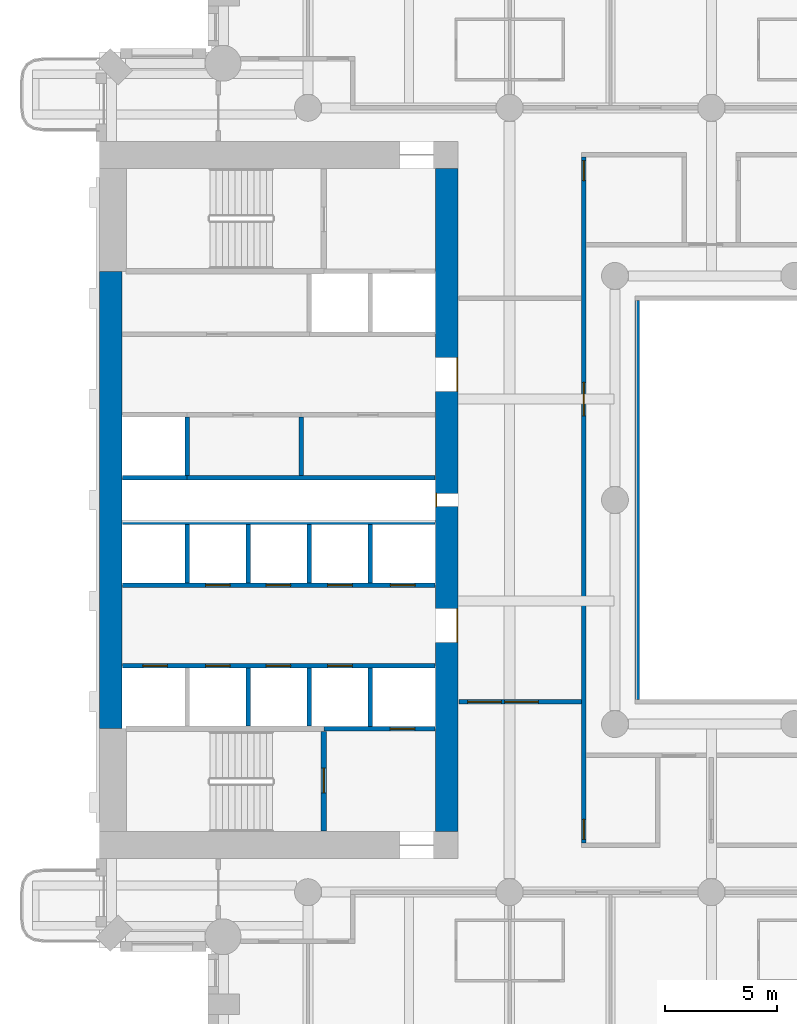
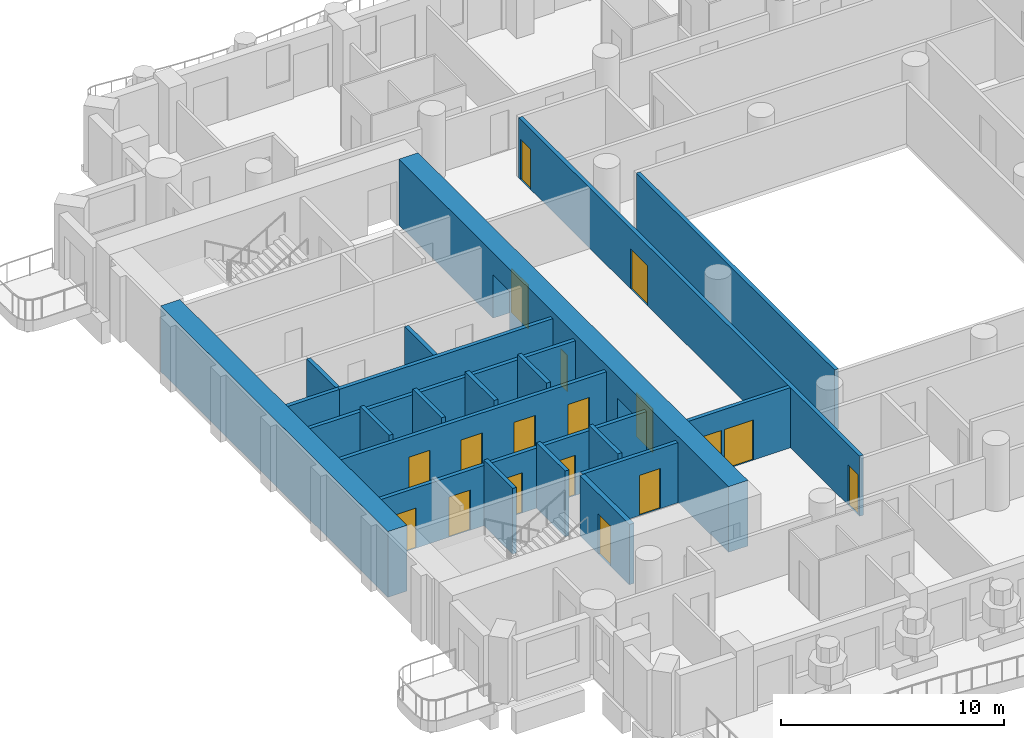
# One storey, part 4 of 20: 21 walls, 18 doors, 18 openings.
"""IFC4 building model written with IfcOpenShell, lengths in metres."""

import ifcopenshell
import ifcopenshell.guid

model = None  # the IFC model being written
_history = None  # IfcOwnerHistory: only IFC2X3 demands one
_inside = {}  # id of a spatial element -> (the spatial element, [elements in it])
_under = {}  # id of a project, library or spatial element -> (it, [spatial elements below it])
_declared = {}  # id of a project -> (the project, [libraries it declares])
_typed = {}  # id of a type object -> (the type object, [elements of that type])
_made_of = {}  # id of a material, layer set ... -> (it, [elements and type objects made of it])


def new_model(schema):
    """Start an empty IFC model of exactly this schema.

    Asked for "IFC4X3", IfcOpenShell would pick the latest addendum, in which some entities
    have other attributes; the version numbers below select the first issue.
    IFC2X3 requires an IfcOwnerHistory on every rooted entity: one is made here for all.
    """
    global model, _history
    if schema == "IFC4X3":
        model = ifcopenshell.file(schema_version=(4, 3, 0, 0))
    else:
        model = ifcopenshell.file(schema=schema)
    _inside.clear()
    _under.clear()
    _declared.clear()
    _typed.clear()
    _made_of.clear()
    _history = None
    if model.schema == "IFC2X3":
        org = make("IfcOrganization", Name="unknown")
        user = make(
            "IfcPersonAndOrganization",
            ThePerson=make("IfcPerson", FamilyName="unknown"),
            TheOrganization=org,
        )
        app = make(
            "IfcApplication",
            ApplicationDeveloper=org,
            Version="unknown",
            ApplicationFullName="unknown",
            ApplicationIdentifier="unknown",
        )
        _history = make(
            "IfcOwnerHistory",
            OwningUser=user,
            OwningApplication=app,
            ChangeAction="ADDED",
            CreationDate=0,
        )
    return model


def make(cls, **values):
    """One entity of the class cls with the attributes given. An attribute that is None is left unset."""
    return model.create_entity(
        cls, **{name: value for name, value in values.items() if value is not None}
    )


def rooted(cls, **values):
    """An entity with a GlobalId (a new one), such as an element, a storey or a relation."""
    return make(cls, GlobalId=ifcopenshell.guid.new(), OwnerHistory=_history, **values)


def si_unit(unit_type, name, prefix=None):
    """IfcSIUnit, for example si_unit("LENGTHUNIT", "METRE", prefix="MILLI")."""
    return make("IfcSIUnit", UnitType=unit_type, Prefix=prefix, Name=name)


def assignment(units):
    """IfcUnitAssignment: the units of a project."""
    return None if units is None else make("IfcUnitAssignment", Units=units)


def point(xyz):
    """IfcCartesianPoint."""
    return None if xyz is None else make("IfcCartesianPoint", Coordinates=xyz)


def direction(xyz):
    """IfcDirection."""
    return None if xyz is None else make("IfcDirection", DirectionRatios=xyz)


def frame(location, z_axis=None, x_axis=None):
    """IfcAxis2Placement3D, a coordinate frame: its origin and axes. An axis left out is left unset."""
    return make(
        "IfcAxis2Placement3D",
        Location=point(location),
        Axis=direction(z_axis),
        RefDirection=direction(x_axis),
    )


def frame_2d(location, x_axis=None):
    """IfcAxis2Placement2D, a coordinate frame in the plane: its origin and x axis."""
    return make(
        "IfcAxis2Placement2D", Location=point(location), RefDirection=direction(x_axis)
    )


def origin():
    """The frame at (0, 0, 0) with its axes left unset."""
    return frame((0.0, 0.0, 0.0))


def place(relative_to, where):
    """IfcLocalPlacement: puts the frame where relative to a parent placement (None: the world)."""
    return make(
        "IfcLocalPlacement", PlacementRelTo=relative_to, RelativePlacement=where
    )


def context(
    kind, dimensions, precision=None, world=None, true_north=None, identifier=None
):
    """IfcGeometricRepresentationContext, for example the 3D "Model" context."""
    return make(
        "IfcGeometricRepresentationContext",
        ContextIdentifier=identifier,
        ContextType=kind,
        CoordinateSpaceDimension=dimensions,
        Precision=precision,
        WorldCoordinateSystem=world,
        TrueNorth=true_north,
    )


def subcontext(parent, identifier, kind, view, scale=None):
    """IfcGeometricRepresentationSubContext, for example "Body" below "Model"."""
    return make(
        "IfcGeometricRepresentationSubContext",
        ContextIdentifier=identifier,
        ContextType=kind,
        ParentContext=parent,
        TargetScale=scale,
        TargetView=view,
    )


def project(units=None, contexts=None):
    """IfcProject with its units and contexts."""
    return rooted(
        "IfcProject",
        Name="project",
        RepresentationContexts=contexts,
        UnitsInContext=assignment(units),
    )


def spatial(cls, under=None, at=None, **own):
    """A site, building, storey or space (cls), placed at a placement, below another one or the project."""
    s = rooted(cls, ObjectPlacement=at, **own)
    if under is not None:
        _under.setdefault(under.id(), (under, []))[1].append(s)
    return s


def profile(cls, at=None, kind="AREA", **sizes):
    """A parametric profile (cls). Its sizes go by their IFC names, for example OverallWidth=200.0."""
    return make(cls, ProfileType=kind, Position=at, **sizes)


def rectangle(**sizes):
    """IfcRectangleProfileDef."""
    return profile("IfcRectangleProfileDef", **sizes)


def extrude(swept, where, along, depth):
    """IfcExtrudedAreaSolid: the profile swept, set in the frame where, extruded along a direction by depth."""
    return make(
        "IfcExtrudedAreaSolid",
        SweptArea=swept,
        Position=where,
        ExtrudedDirection=direction(along),
        Depth=depth,
    )


def shape(context_of_items, identifier, shape_type, items):
    """IfcShapeRepresentation: the items that make up one representation, for example the "Body"."""
    return make(
        "IfcShapeRepresentation",
        ContextOfItems=context_of_items,
        RepresentationIdentifier=identifier,
        RepresentationType=shape_type,
        Items=items,
    )


def material(Name=None, Category=None):
    """IfcMaterial."""
    return make("IfcMaterial", Name=Name, Category=Category)


def layer(
    of_material, thickness, ventilated=None, Name=None, Category=None, Priority=None
):
    """IfcMaterialLayer: one layer of a wall or slab, of a material (None: an air gap)."""
    return make(
        "IfcMaterialLayer",
        Material=of_material,
        LayerThickness=thickness,
        IsVentilated=ventilated,
        Name=Name,
        Category=Category,
        Priority=Priority,
    )


def layer_set(layers, Name=None):
    """IfcMaterialLayerSet."""
    return make("IfcMaterialLayerSet", MaterialLayers=layers, LayerSetName=Name)


def made_of(thing, what):
    """Note that an element or type object is made of a material, layer set ...; save() writes the relation."""
    if what is not None:
        _made_of.setdefault(what.id(), (what, []))[1].append(thing)
    return thing


def type_object(cls, material=None, **own):
    """A type object (cls), such as IfcWallType, which elements share."""
    return made_of(rooted(cls, **own), material)


def element(
    cls,
    number,
    at=None,
    inside=None,
    cuts=None,
    type_object=None,
    material=None,
    context=None,
    identifier="Body",
    shape_type=None,
    held_by="IfcProductDefinitionShape",
    body=None,
    shapes=None,
    **own,
):
    """One element of the class cls, such as IfcWall. Its Tag is "e" and its number.

    at: its placement. inside: the storey or other place that contains it. cuts: it is an
    opening in that element (IfcRelVoidsElement). A single representation is given by context,
    identifier, shape_type and body (its items); several are given by shapes. held_by: the class
    of the entity that holds the representations. save() writes the other relations.
    """
    e = rooted(cls, Tag="e%d" % number, ObjectPlacement=at, **own)
    if body is not None:
        shapes = [shape(context, identifier, shape_type, body)]
    if shapes is not None:
        e.Representation = make(held_by, Representations=shapes)
    if inside is not None:
        _inside.setdefault(inside.id(), (inside, []))[1].append(e)
    if cuts is not None:
        rooted(
            "IfcRelVoidsElement", RelatingBuildingElement=cuts, RelatedOpeningElement=e
        )
    if type_object is not None:
        _typed.setdefault(type_object.id(), (type_object, []))[1].append(e)
    return made_of(e, material)


def fill(opening, filler):
    """IfcRelFillsElement: the door or window that sits in an opening."""
    return rooted(
        "IfcRelFillsElement",
        RelatingOpeningElement=opening,
        RelatedBuildingElement=filler,
    )


def aggregate(whole, parts):
    """IfcRelAggregates: a whole, such as a stair, and the parts it consists of."""
    return rooted("IfcRelAggregates", RelatingObject=whole, RelatedObjects=parts)


def save(model, path):
    """Write the relations noted so far, then the file.

    IfcRelAggregates (storeys below a building ...), IfcRelContainedInSpatialStructure (elements
    in a storey), IfcRelDefinesByType, IfcRelAssociatesMaterial and IfcRelDeclares: one each for
    every whole, place, type object, material and project.
    """
    for whole, parts in _under.values():
        aggregate(whole, parts)
    for where, things in _inside.values():
        rooted(
            "IfcRelContainedInSpatialStructure",
            RelatedElements=things,
            RelatingStructure=where,
        )
    for kind, things in _typed.values():
        rooted("IfcRelDefinesByType", RelatedObjects=things, RelatingType=kind)
    for what, things in _made_of.values():
        rooted("IfcRelAssociatesMaterial", RelatedObjects=things, RelatingMaterial=what)
    for by, libraries in _declared.values():
        rooted("IfcRelDeclares", RelatingContext=by, RelatedDefinitions=libraries)
    model.write(path)


model = new_model("IFC4")

# Units and contexts
model_context = context("Model", 3, precision=1e-05, world=origin(), true_north=direction((0.0, 1.0)))
body_context = subcontext(model_context, "Body", "Model", "MODEL_VIEW")
ifc_project = project(units=[si_unit("LENGTHUNIT", "METRE"), si_unit("AREAUNIT", "SQUARE_METRE"), si_unit("VOLUMEUNIT", "CUBIC_METRE"), si_unit("PLANEANGLEUNIT", "RADIAN"), si_unit("MASSUNIT", "GRAM", prefix="KILO")], contexts=[model_context])

# Site, building, storey
site_placement = place(None, origin())
site = spatial("IfcSite", under=ifc_project, at=site_placement, CompositionType="ELEMENT")
building_placement = place(site_placement, origin())
building = spatial("IfcBuilding", under=site, at=building_placement, Name="Cypress Arch Tower", CompositionType="ELEMENT")
storey_placement = place(building_placement, frame((0.0, 0.0, 55.5)))
storey = spatial("IfcBuildingStorey", under=building, at=storey_placement, Name="L07", CompositionType="ELEMENT", Elevation=55.5)

# Wall, openings, doors
ifc_material_1 = material(Name="Concrete C80/95", Category="concrete")
ifc_layer_1 = layer(ifc_material_1, 1.0)
ifc_layer_set_1 = layer_set([ifc_layer_1], Name="Core wall CW1000 C80/95")
wall_type_1 = type_object("IfcWallType", Name="Core wall CW1000 C80/95", PredefinedType="SHEAR", material=ifc_layer_set_1)
wall_1_placement = place(storey_placement, frame((-14.5, -14.800048828125, 0.0), z_axis=(0.0, 0.0, 1.0), x_axis=(0.0, 1.0, 0.0)))
wall_1 = element("IfcWall", 1, at=wall_1_placement, inside=storey, type_object=wall_type_1, Name="Core wall", PredefinedType="SHEAR", context=body_context, shape_type="SweptSolid", body=[
    extrude(rectangle(XDim=29.60009765625, YDim=1.0, at=frame_2d((14.800048828125, 0.0))), origin(), (0.0, 0.0, 1.0), 3.60009765625),
])
opening_1_placement = place(wall_1_placement, frame((8.449951171875, 0.0, 0.0)))
opening_1 = element("IfcOpeningElement", 2, at=opening_1_placement, cuts=wall_1, Name="Opening D07", PredefinedType="OPENING", context=body_context, shape_type="SweptSolid", body=[
    extrude(rectangle(XDim=1.5, YDim=2.39990234375, at=frame_2d((0.75, 1.199951171875))), frame((0.0, 0.510009765625, 0.0), z_axis=(0.0, -1.0, 0.0), x_axis=(1.0, 0.0, 0.0)), (0.0, 0.0, 1.0), 1.02001953125),
])
opening_2_placement = place(wall_1_placement, frame((19.64990234375, 0.0, 0.0)))
opening_2 = element("IfcOpeningElement", 3, at=opening_2_placement, cuts=wall_1, Name="Opening D07", PredefinedType="OPENING", context=body_context, shape_type="SweptSolid", body=[
    extrude(rectangle(XDim=1.5, YDim=2.39990234375, at=frame_2d((0.75, 1.199951171875))), frame((0.0, 0.510009765625, 0.0), z_axis=(0.0, -1.0, 0.0), x_axis=(1.0, 0.0, 0.0)), (0.0, 0.0, 1.0), 1.02001953125),
])
opening_3_placement = place(wall_1_placement, frame((14.5, 0.0, 0.0)))
opening_3 = element("IfcOpeningElement", 4, at=opening_3_placement, cuts=wall_1, Name="Opening D08", PredefinedType="OPENING", context=body_context, shape_type="SweptSolid", body=[
    extrude(rectangle(XDim=0.60009765625, YDim=2.0, at=frame_2d((0.300048828125, 1.0))), frame((0.0, 0.510009765625, 0.0), z_axis=(0.0, -1.0, 0.0), x_axis=(1.0, 0.0, 0.0)), (0.0, 0.0, 1.0), 1.02001953125),
])
ifc_material_2 = material(Name="Steel framed glazed door, fire resisting", Category="steel")
door_type_1 = type_object("IfcDoorType", Name="Lobby door D07 1500x2400", OperationType="DOUBLE_DOOR_SINGLE_SWING", PredefinedType="DOOR", material=ifc_material_2)
door_1_placement = place(opening_1_placement, origin())
door_1 = element("IfcDoor", 5, at=door_1_placement, inside=storey, type_object=door_type_1, Name="Lobby door", OperationType="DOUBLE_DOOR_SINGLE_SWING", OverallHeight=2.39990234375, OverallWidth=1.5, PredefinedType="DOOR", context=body_context, shape_type="SweptSolid", body=[
    extrude(rectangle(XDim=1.5, YDim=2.39990234375, at=frame_2d((0.75, 1.199951171875))), frame((0.0, -0.44482421875, 0.0), z_axis=(0.0, -1.0, 0.0), x_axis=(1.0, 0.0, 0.0)), (0.0, 0.0, 1.0), 0.050048828125),
])
fill(opening_1, door_1)
door_2_placement = place(opening_2_placement, origin())
door_2 = element("IfcDoor", 6, at=door_2_placement, inside=storey, type_object=door_type_1, Name="Lobby door", OperationType="DOUBLE_DOOR_SINGLE_SWING", OverallHeight=2.39990234375, OverallWidth=1.5, PredefinedType="DOOR", context=body_context, shape_type="SweptSolid", body=[
    extrude(rectangle(XDim=1.5, YDim=2.39990234375, at=frame_2d((0.75, 1.199951171875))), frame((0.0, -0.44482421875, 0.0), z_axis=(0.0, -1.0, 0.0), x_axis=(1.0, 0.0, 0.0)), (0.0, 0.0, 1.0), 0.050048828125),
])
fill(opening_2, door_2)
ifc_material_3 = material(Name="Steel access door, fire resisting", Category="steel")
door_type_2 = type_object("IfcDoorType", Name="Riser access door D08 600x2000", OperationType="SINGLE_SWING_LEFT", PredefinedType="DOOR", material=ifc_material_3)
door_3_placement = place(opening_3_placement, origin())
door_3 = element("IfcDoor", 7, at=door_3_placement, inside=storey, type_object=door_type_2, Name="Riser access door", OperationType="SINGLE_SWING_RIGHT", OverallHeight=2.0, OverallWidth=0.60009765625, PredefinedType="DOOR", context=body_context, shape_type="SweptSolid", body=[
    extrude(rectangle(XDim=0.60009765625, YDim=2.0, at=frame_2d((0.300048828125, 1.0))), frame((0.0, 0.4951171875, 0.0), z_axis=(0.0, -1.0, 0.0), x_axis=(1.0, 0.0, 0.0)), (0.0, 0.0, 1.0), 0.050048828125),
])
fill(opening_3, door_3)

# Wall
wall_2_placement = place(storey_placement, frame((-29.5, -10.199951171875, 0.0), z_axis=(0.0, 0.0, 1.0), x_axis=(0.0, 1.0, 0.0)))
element("IfcWall", 8, at=wall_2_placement, inside=storey, type_object=wall_type_1, Name="Core wall", PredefinedType="SHEAR", context=body_context, shape_type="SweptSolid", body=[
    extrude(rectangle(XDim=20.39990234375, YDim=1.0, at=frame_2d((10.199951171875, 0.0))), origin(), (0.0, 0.0, 1.0), 3.60009765625),
])

# Wall, openings, doors
ifc_material_4 = material(Name="Concrete blockwork, plastered, rated", Category="masonry")
ifc_layer_2 = layer(ifc_material_4, 0.199951171875)
ifc_layer_set_2 = layer_set([ifc_layer_2], Name="Corridor wall FW200")
wall_type_2 = type_object("IfcWallType", Name="Corridor wall FW200", PredefinedType="PARTITIONING", material=ifc_layer_set_2)
wall_3_placement = place(storey_placement, frame((-13.969970703125, -9.0, 0.0), z_axis=(0.0, 0.0, 1.0), x_axis=(1.0, 0.0, 0.0)))
wall_3 = element("IfcWall", 9, at=wall_3_placement, inside=storey, type_object=wall_type_2, Name="Corridor wall", PredefinedType="PARTITIONING", context=body_context, shape_type="SweptSolid", body=[
    extrude(rectangle(XDim=5.469970703125, YDim=0.199951171875, at=frame_2d((2.73486328125, 0.0))), origin(), (0.0, 0.0, 1.0), 3.300048828125),
])
opening_4_placement = place(wall_3_placement, frame((0.39990234375, 0.0, 0.0)))
opening_4 = element("IfcOpeningElement", 10, at=opening_4_placement, cuts=wall_3, Name="Opening D04", PredefinedType="OPENING", context=body_context, shape_type="SweptSolid", body=[
    extrude(rectangle(XDim=1.5, YDim=2.199951171875, at=frame_2d((0.75, 1.10009765625))), frame((0.0, 0.10986328125, 0.0), z_axis=(0.0, -1.0, 0.0), x_axis=(1.0, 0.0, 0.0)), (0.0, 0.0, 1.0), 0.219970703125),
])
opening_5_placement = place(wall_3_placement, frame((2.050048828125, 0.0, 0.0)))
opening_5 = element("IfcOpeningElement", 11, at=opening_5_placement, cuts=wall_3, Name="Opening D04", PredefinedType="OPENING", context=body_context, shape_type="SweptSolid", body=[
    extrude(rectangle(XDim=1.5, YDim=2.199951171875, at=frame_2d((0.75, 1.10009765625))), frame((0.0, 0.10986328125, 0.0), z_axis=(0.0, -1.0, 0.0), x_axis=(1.0, 0.0, 0.0)), (0.0, 0.0, 1.0), 0.219970703125),
])
ifc_material_5 = material(Name="Timber double door", Category="wood")
door_type_3 = type_object("IfcDoorType", Name="Double door D04 1500x2200", OperationType="DOUBLE_DOOR_SINGLE_SWING", PredefinedType="DOOR", material=ifc_material_5)
door_4_placement = place(opening_4_placement, origin())
door_4 = element("IfcDoor", 12, at=door_4_placement, inside=storey, type_object=door_type_3, Name="Double door", OperationType="DOUBLE_DOOR_SINGLE_SWING", OverallHeight=2.199951171875, OverallWidth=1.5, PredefinedType="DOOR", context=body_context, shape_type="SweptSolid", body=[
    extrude(rectangle(XDim=1.5, YDim=2.199951171875, at=frame_2d((0.75, 1.10009765625))), frame((0.0, 0.02490234375, 0.0), z_axis=(0.0, -1.0, 0.0), x_axis=(1.0, 0.0, 0.0)), (0.0, 0.0, 1.0), 0.050048828125),
])
fill(opening_4, door_4)
door_5_placement = place(opening_5_placement, origin())
door_5 = element("IfcDoor", 13, at=door_5_placement, inside=storey, type_object=door_type_3, Name="Double door", OperationType="DOUBLE_DOOR_SINGLE_SWING", OverallHeight=2.199951171875, OverallWidth=1.5, PredefinedType="DOOR", context=body_context, shape_type="SweptSolid", body=[
    extrude(rectangle(XDim=1.5, YDim=2.199951171875, at=frame_2d((0.75, 1.10009765625))), frame((0.0, 0.02490234375, 0.0), z_axis=(0.0, -1.0, 0.0), x_axis=(1.0, 0.0, 0.0)), (0.0, 0.0, 1.0), 0.050048828125),
])
fill(opening_5, door_5)

wall_4_placement = place(storey_placement, frame((-8.39990234375, -15.300048828125, 0.0), z_axis=(0.0, 0.0, 1.0), x_axis=(0.0, 1.0, 0.0)))
wall_4 = element("IfcWall", 14, at=wall_4_placement, inside=storey, type_object=wall_type_2, Name="Corridor wall", PredefinedType="PARTITIONING", context=body_context, shape_type="SweptSolid", body=[
    extrude(rectangle(XDim=30.60009765625, YDim=0.199951171875, at=frame_2d((15.300048828125, 0.0))), origin(), (0.0, 0.0, 1.0), 3.300048828125),
])
opening_6_placement = place(wall_4_placement, frame((19.050048828125, 0.0, 0.0)))
opening_6 = element("IfcOpeningElement", 15, at=opening_6_placement, cuts=wall_4, Name="Opening D04", PredefinedType="OPENING", context=body_context, shape_type="SweptSolid", body=[
    extrude(rectangle(XDim=1.5, YDim=2.199951171875, at=frame_2d((0.75, 1.10009765625))), frame((0.0, 0.10986328125, 0.0), z_axis=(0.0, -1.0, 0.0), x_axis=(1.0, 0.0, 0.0)), (0.0, 0.0, 1.0), 0.219970703125),
])
opening_7_placement = place(wall_4_placement, frame((29.550048828125, 0.0, 0.0)))
opening_7 = element("IfcOpeningElement", 16, at=opening_7_placement, cuts=wall_4, Name="Opening D05", PredefinedType="OPENING", context=body_context, shape_type="SweptSolid", body=[
    extrude(rectangle(XDim=0.89990234375, YDim=2.199951171875, at=frame_2d((0.449951171875, 1.10009765625))), frame((0.0, 0.10986328125, 0.0), z_axis=(0.0, -1.0, 0.0), x_axis=(1.0, 0.0, 0.0)), (0.0, 0.0, 1.0), 0.219970703125),
])
opening_8_placement = place(wall_4_placement, frame((0.14990234375, 0.0, 0.0)))
opening_8 = element("IfcOpeningElement", 17, at=opening_8_placement, cuts=wall_4, Name="Opening D05", PredefinedType="OPENING", context=body_context, shape_type="SweptSolid", body=[
    extrude(rectangle(XDim=0.89990234375, YDim=2.199951171875, at=frame_2d((0.449951171875, 1.10009765625))), frame((0.0, 0.10986328125, 0.0), z_axis=(0.0, -1.0, 0.0), x_axis=(1.0, 0.0, 0.0)), (0.0, 0.0, 1.0), 0.219970703125),
])
door_6_placement = place(opening_6_placement, origin())
door_6 = element("IfcDoor", 18, at=door_6_placement, inside=storey, type_object=door_type_3, Name="Double door", OperationType="DOUBLE_DOOR_SINGLE_SWING", OverallHeight=2.199951171875, OverallWidth=1.5, PredefinedType="DOOR", context=body_context, shape_type="SweptSolid", body=[
    extrude(rectangle(XDim=1.5, YDim=2.199951171875, at=frame_2d((0.75, 1.10009765625))), frame((0.0, 0.02490234375, 0.0), z_axis=(0.0, -1.0, 0.0), x_axis=(1.0, 0.0, 0.0)), (0.0, 0.0, 1.0), 0.050048828125),
])
fill(opening_6, door_6)
ifc_material_6 = material(Name="Timber flush door", Category="wood")
door_type_4 = type_object("IfcDoorType", Name="Service door D05 900x2200", OperationType="SINGLE_SWING_LEFT", PredefinedType="DOOR", material=ifc_material_6)
door_7_placement = place(opening_7_placement, origin())
door_7 = element("IfcDoor", 19, at=door_7_placement, inside=storey, type_object=door_type_4, Name="Service door", OperationType="SINGLE_SWING_LEFT", OverallHeight=2.199951171875, OverallWidth=0.89990234375, PredefinedType="DOOR", context=body_context, shape_type="SweptSolid", body=[
    extrude(rectangle(XDim=0.89990234375, YDim=2.199951171875, at=frame_2d((0.449951171875, 1.10009765625))), frame((0.0, 0.02490234375, 0.0), z_axis=(0.0, -1.0, 0.0), x_axis=(1.0, 0.0, 0.0)), (0.0, 0.0, 1.0), 0.050048828125),
])
fill(opening_7, door_7)
door_8_placement = place(opening_8_placement, origin())
door_8 = element("IfcDoor", 20, at=door_8_placement, inside=storey, type_object=door_type_4, Name="Service door", OperationType="SINGLE_SWING_RIGHT", OverallHeight=2.199951171875, OverallWidth=0.89990234375, PredefinedType="DOOR", context=body_context, shape_type="SweptSolid", body=[
    extrude(rectangle(XDim=0.89990234375, YDim=2.199951171875, at=frame_2d((0.449951171875, 1.10009765625))), frame((0.0, 0.02490234375, 0.0), z_axis=(0.0, -1.0, 0.0), x_axis=(1.0, 0.0, 0.0)), (0.0, 0.0, 1.0), 0.050048828125),
])
fill(opening_8, door_8)

# Walls
wall_5_placement = place(storey_placement, frame((-6.0, -8.89990234375, 0.0), z_axis=(0.0, 0.0, 1.0), x_axis=(0.0, 1.0, 0.0)))
element("IfcWall", 21, at=wall_5_placement, inside=storey, type_object=wall_type_2, Name="Corridor wall", PredefinedType="PARTITIONING", context=body_context, shape_type="SweptSolid", body=[
    extrude(rectangle(XDim=17.7998046875, YDim=0.199951171875, at=frame_2d((8.89990234375, 0.0))), origin(), (0.0, 0.0, 1.0), 3.300048828125),
])
ifc_material_7 = material(Name="Reinforced blockwork, plastered, rated", Category="masonry")
ifc_layer_3 = layer(ifc_material_7, 0.199951171875)
ifc_layer_set_3 = layer_set([ifc_layer_3], Name="Plant and riser wall PL200")
wall_type_3 = type_object("IfcWallType", Name="Plant and riser wall PL200", PredefinedType="PARTITIONING", material=ifc_layer_set_3)
wall_6_placement = place(storey_placement, frame((-26.10009765625, 1.0, 0.0), z_axis=(0.0, 0.0, 1.0), x_axis=(1.0, 0.0, 0.0)))
element("IfcWall", 22, at=wall_6_placement, inside=storey, type_object=wall_type_3, Name="Plant and riser wall", PredefinedType="PARTITIONING", context=body_context, shape_type="SweptSolid", body=[
    extrude(rectangle(XDim=11.070068359375, YDim=0.199951171875, at=frame_2d((5.53515625, 0.0))), origin(), (0.0, 0.0, 1.0), 3.300048828125),
])
wall_7_placement = place(storey_placement, frame((-21.0, 1.10009765625, 0.0), z_axis=(0.0, 0.0, 1.0), x_axis=(0.0, 1.0, 0.0)))
element("IfcWall", 23, at=wall_7_placement, inside=storey, type_object=wall_type_3, Name="Plant and riser wall", PredefinedType="PARTITIONING", context=body_context, shape_type="SweptSolid", body=[
    extrude(rectangle(XDim=2.599853515625, YDim=0.199951171875, at=frame_2d((1.2998046875, 0.0))), origin(), (0.0, 0.0, 1.0), 3.300048828125),
])

# Wall, openings, doors
ifc_material_8 = material(Name="Concrete C50/60", Category="concrete")
ifc_layer_4 = layer(ifc_material_8, 0.199951171875)
ifc_layer_set_4 = layer_set([ifc_layer_4], Name="Shaft wall SH200")
wall_type_4 = type_object("IfcWallType", Name="Shaft wall SH200", PredefinedType="SHEAR", material=ifc_layer_set_4)
wall_8_placement = place(storey_placement, frame((-28.969970703125, -7.39990234375, 0.0), z_axis=(0.0, 0.0, 1.0), x_axis=(1.0, 0.0, 0.0)))
wall_8 = element("IfcWall", 24, at=wall_8_placement, inside=storey, type_object=wall_type_4, Name="Shaft wall", PredefinedType="SHEAR", context=body_context, shape_type="SweptSolid", body=[
    extrude(rectangle(XDim=13.93994140625, YDim=0.199951171875, at=frame_2d((6.969970703125, 0.0))), origin(), (0.0, 0.0, 1.0), 3.300048828125),
])
opening_9_placement = place(wall_8_placement, frame((0.89990234375, 0.0, 0.0)))
opening_9 = element("IfcOpeningElement", 25, at=opening_9_placement, cuts=wall_8, Name="Opening LD-LR1", PredefinedType="OPENING", context=body_context, shape_type="SweptSolid", body=[
    extrude(rectangle(XDim=1.10009765625, YDim=2.199951171875, at=frame_2d((0.550048828125, 1.10009765625))), frame((0.0, 0.10986328125, 0.0), z_axis=(0.0, -1.0, 0.0), x_axis=(1.0, 0.0, 0.0)), (0.0, 0.0, 1.0), 0.219970703125),
])
opening_10_placement = place(wall_8_placement, frame((3.699951171875, 0.0, 0.0)))
opening_10 = element("IfcOpeningElement", 26, at=opening_10_placement, cuts=wall_8, Name="Opening LD-LR2", PredefinedType="OPENING", context=body_context, shape_type="SweptSolid", body=[
    extrude(rectangle(XDim=1.10009765625, YDim=2.199951171875, at=frame_2d((0.550048828125, 1.10009765625))), frame((0.0, 0.10986328125, 0.0), z_axis=(0.0, -1.0, 0.0), x_axis=(1.0, 0.0, 0.0)), (0.0, 0.0, 1.0), 0.219970703125),
])
opening_11_placement = place(wall_8_placement, frame((6.39990234375, 0.0, 0.0)))
opening_11 = element("IfcOpeningElement", 27, at=opening_11_placement, cuts=wall_8, Name="Opening LD-LR3", PredefinedType="OPENING", context=body_context, shape_type="SweptSolid", body=[
    extrude(rectangle(XDim=1.10009765625, YDim=2.199951171875, at=frame_2d((0.550048828125, 1.10009765625))), frame((0.0, 0.10986328125, 0.0), z_axis=(0.0, -1.0, 0.0), x_axis=(1.0, 0.0, 0.0)), (0.0, 0.0, 1.0), 0.219970703125),
])
opening_12_placement = place(wall_8_placement, frame((9.14990234375, 0.0, 0.0)))
opening_12 = element("IfcOpeningElement", 28, at=opening_12_placement, cuts=wall_8, Name="Opening LD-LR4", PredefinedType="OPENING", context=body_context, shape_type="SweptSolid", body=[
    extrude(rectangle(XDim=1.10009765625, YDim=2.199951171875, at=frame_2d((0.550048828125, 1.10009765625))), frame((0.0, 0.10986328125, 0.0), z_axis=(0.0, -1.0, 0.0), x_axis=(1.0, 0.0, 0.0)), (0.0, 0.0, 1.0), 0.219970703125),
])
ifc_material_9 = material(Name="Stainless steel centre-opening landing door, rated", Category="steel")
door_type_5 = type_object("IfcDoorType", Name="Lift landing door LD 1100x2200", OperationType="DOUBLE_DOOR_SLIDING", PredefinedType="DOOR", material=ifc_material_9)
door_9_placement = place(opening_9_placement, origin())
door_9 = element("IfcDoor", 29, at=door_9_placement, inside=storey, type_object=door_type_5, Name="Lift landing doors LR1", OperationType="DOUBLE_DOOR_SLIDING", OverallHeight=2.199951171875, OverallWidth=1.10009765625, PredefinedType="DOOR", context=body_context, shape_type="SweptSolid", body=[
    extrude(rectangle(XDim=1.10009765625, YDim=2.199951171875, at=frame_2d((0.550048828125, 1.10009765625))), frame((0.0, 0.02490234375, 0.0), z_axis=(0.0, -1.0, 0.0), x_axis=(1.0, 0.0, 0.0)), (0.0, 0.0, 1.0), 0.050048828125),
])
fill(opening_9, door_9)
door_10_placement = place(opening_10_placement, origin())
door_10 = element("IfcDoor", 30, at=door_10_placement, inside=storey, type_object=door_type_5, Name="Lift landing doors LR2", OperationType="DOUBLE_DOOR_SLIDING", OverallHeight=2.199951171875, OverallWidth=1.10009765625, PredefinedType="DOOR", context=body_context, shape_type="SweptSolid", body=[
    extrude(rectangle(XDim=1.10009765625, YDim=2.199951171875, at=frame_2d((0.550048828125, 1.10009765625))), frame((0.0, 0.02490234375, 0.0), z_axis=(0.0, -1.0, 0.0), x_axis=(1.0, 0.0, 0.0)), (0.0, 0.0, 1.0), 0.050048828125),
])
fill(opening_10, door_10)
door_11_placement = place(opening_11_placement, origin())
door_11 = element("IfcDoor", 31, at=door_11_placement, inside=storey, type_object=door_type_5, Name="Lift landing doors LR3", OperationType="DOUBLE_DOOR_SLIDING", OverallHeight=2.199951171875, OverallWidth=1.10009765625, PredefinedType="DOOR", context=body_context, shape_type="SweptSolid", body=[
    extrude(rectangle(XDim=1.10009765625, YDim=2.199951171875, at=frame_2d((0.550048828125, 1.10009765625))), frame((0.0, 0.02490234375, 0.0), z_axis=(0.0, -1.0, 0.0), x_axis=(1.0, 0.0, 0.0)), (0.0, 0.0, 1.0), 0.050048828125),
])
fill(opening_11, door_11)
door_12_placement = place(opening_12_placement, origin())
door_12 = element("IfcDoor", 32, at=door_12_placement, inside=storey, type_object=door_type_5, Name="Lift landing doors LR4", OperationType="DOUBLE_DOOR_SLIDING", OverallHeight=2.199951171875, OverallWidth=1.10009765625, PredefinedType="DOOR", context=body_context, shape_type="SweptSolid", body=[
    extrude(rectangle(XDim=1.10009765625, YDim=2.199951171875, at=frame_2d((0.550048828125, 1.10009765625))), frame((0.0, 0.02490234375, 0.0), z_axis=(0.0, -1.0, 0.0), x_axis=(1.0, 0.0, 0.0)), (0.0, 0.0, 1.0), 0.050048828125),
])
fill(opening_12, door_12)

wall_9_placement = place(storey_placement, frame((-28.969970703125, -3.800048828125, 0.0), z_axis=(0.0, 0.0, 1.0), x_axis=(1.0, 0.0, 0.0)))
wall_9 = element("IfcWall", 33, at=wall_9_placement, inside=storey, type_object=wall_type_4, Name="Shaft wall", PredefinedType="SHEAR", context=body_context, shape_type="SweptSolid", body=[
    extrude(rectangle(XDim=13.93994140625, YDim=0.199951171875, at=frame_2d((6.969970703125, 0.0))), origin(), (0.0, 0.0, 1.0), 3.300048828125),
])
opening_13_placement = place(wall_9_placement, frame((3.699951171875, 0.0, 0.0)))
opening_13 = element("IfcOpeningElement", 34, at=opening_13_placement, cuts=wall_9, Name="Opening LD-LR5", PredefinedType="OPENING", context=body_context, shape_type="SweptSolid", body=[
    extrude(rectangle(XDim=1.10009765625, YDim=2.199951171875, at=frame_2d((0.550048828125, 1.10009765625))), frame((0.0, 0.10986328125, 0.0), z_axis=(0.0, -1.0, 0.0), x_axis=(1.0, 0.0, 0.0)), (0.0, 0.0, 1.0), 0.219970703125),
])
opening_14_placement = place(wall_9_placement, frame((6.39990234375, 0.0, 0.0)))
opening_14 = element("IfcOpeningElement", 35, at=opening_14_placement, cuts=wall_9, Name="Opening LD-LR6", PredefinedType="OPENING", context=body_context, shape_type="SweptSolid", body=[
    extrude(rectangle(XDim=1.10009765625, YDim=2.199951171875, at=frame_2d((0.550048828125, 1.10009765625))), frame((0.0, 0.10986328125, 0.0), z_axis=(0.0, -1.0, 0.0), x_axis=(1.0, 0.0, 0.0)), (0.0, 0.0, 1.0), 0.219970703125),
])
opening_15_placement = place(wall_9_placement, frame((9.14990234375, 0.0, 0.0)))
opening_15 = element("IfcOpeningElement", 36, at=opening_15_placement, cuts=wall_9, Name="Opening LD-LR7", PredefinedType="OPENING", context=body_context, shape_type="SweptSolid", body=[
    extrude(rectangle(XDim=1.10009765625, YDim=2.199951171875, at=frame_2d((0.550048828125, 1.10009765625))), frame((0.0, 0.10986328125, 0.0), z_axis=(0.0, -1.0, 0.0), x_axis=(1.0, 0.0, 0.0)), (0.0, 0.0, 1.0), 0.219970703125),
])
opening_16_placement = place(wall_9_placement, frame((11.949951171875, 0.0, 0.0)))
opening_16 = element("IfcOpeningElement", 37, at=opening_16_placement, cuts=wall_9, Name="Opening LD-LR8", PredefinedType="OPENING", context=body_context, shape_type="SweptSolid", body=[
    extrude(rectangle(XDim=1.10009765625, YDim=2.199951171875, at=frame_2d((0.550048828125, 1.10009765625))), frame((0.0, 0.10986328125, 0.0), z_axis=(0.0, -1.0, 0.0), x_axis=(1.0, 0.0, 0.0)), (0.0, 0.0, 1.0), 0.219970703125),
])
door_13_placement = place(opening_13_placement, origin())
door_13 = element("IfcDoor", 38, at=door_13_placement, inside=storey, type_object=door_type_5, Name="Lift landing doors LR5", OperationType="DOUBLE_DOOR_SLIDING", OverallHeight=2.199951171875, OverallWidth=1.10009765625, PredefinedType="DOOR", context=body_context, shape_type="SweptSolid", body=[
    extrude(rectangle(XDim=1.10009765625, YDim=2.199951171875, at=frame_2d((0.550048828125, 1.10009765625))), frame((0.0, 0.02490234375, 0.0), z_axis=(0.0, -1.0, 0.0), x_axis=(1.0, 0.0, 0.0)), (0.0, 0.0, 1.0), 0.050048828125),
])
fill(opening_13, door_13)
door_14_placement = place(opening_14_placement, origin())
door_14 = element("IfcDoor", 39, at=door_14_placement, inside=storey, type_object=door_type_5, Name="Lift landing doors LR6", OperationType="DOUBLE_DOOR_SLIDING", OverallHeight=2.199951171875, OverallWidth=1.10009765625, PredefinedType="DOOR", context=body_context, shape_type="SweptSolid", body=[
    extrude(rectangle(XDim=1.10009765625, YDim=2.199951171875, at=frame_2d((0.550048828125, 1.10009765625))), frame((0.0, 0.02490234375, 0.0), z_axis=(0.0, -1.0, 0.0), x_axis=(1.0, 0.0, 0.0)), (0.0, 0.0, 1.0), 0.050048828125),
])
fill(opening_14, door_14)
door_15_placement = place(opening_15_placement, origin())
door_15 = element("IfcDoor", 40, at=door_15_placement, inside=storey, type_object=door_type_5, Name="Lift landing doors LR7", OperationType="DOUBLE_DOOR_SLIDING", OverallHeight=2.199951171875, OverallWidth=1.10009765625, PredefinedType="DOOR", context=body_context, shape_type="SweptSolid", body=[
    extrude(rectangle(XDim=1.10009765625, YDim=2.199951171875, at=frame_2d((0.550048828125, 1.10009765625))), frame((0.0, 0.02490234375, 0.0), z_axis=(0.0, -1.0, 0.0), x_axis=(1.0, 0.0, 0.0)), (0.0, 0.0, 1.0), 0.050048828125),
])
fill(opening_15, door_15)
door_16_placement = place(opening_16_placement, origin())
door_16 = element("IfcDoor", 41, at=door_16_placement, inside=storey, type_object=door_type_5, Name="Lift landing doors LR8", OperationType="DOUBLE_DOOR_SLIDING", OverallHeight=2.199951171875, OverallWidth=1.10009765625, PredefinedType="DOOR", context=body_context, shape_type="SweptSolid", body=[
    extrude(rectangle(XDim=1.10009765625, YDim=2.199951171875, at=frame_2d((0.550048828125, 1.10009765625))), frame((0.0, 0.02490234375, 0.0), z_axis=(0.0, -1.0, 0.0), x_axis=(1.0, 0.0, 0.0)), (0.0, 0.0, 1.0), 0.050048828125),
])
fill(opening_16, door_16)

# Walls
wall_10_placement = place(storey_placement, frame((-28.969970703125, -1.0, 0.0), z_axis=(0.0, 0.0, 1.0), x_axis=(1.0, 0.0, 0.0)))
element("IfcWall", 42, at=wall_10_placement, inside=storey, type_object=wall_type_4, Name="Shaft wall", PredefinedType="SHEAR", context=body_context, shape_type="SweptSolid", body=[
    extrude(rectangle(XDim=13.93994140625, YDim=0.199951171875, at=frame_2d((6.969970703125, 0.0))), origin(), (0.0, 0.0, 1.0), 3.300048828125),
])
wall_11_placement = place(storey_placement, frame((-28.969970703125, 1.0, 0.0), z_axis=(0.0, 0.0, 1.0), x_axis=(1.0, 0.0, 0.0)))
element("IfcWall", 43, at=wall_11_placement, inside=storey, type_object=wall_type_4, Name="Shaft wall", PredefinedType="SHEAR", context=body_context, shape_type="SweptSolid", body=[
    extrude(rectangle(XDim=2.869873046875, YDim=0.199951171875, at=frame_2d((1.43505859375, 0.0))), origin(), (0.0, 0.0, 1.0), 3.300048828125),
])
wall_12_placement = place(storey_placement, frame((-26.080078125, -3.699951171875, 0.0), z_axis=(0.0, 0.0, 1.0), x_axis=(0.0, 1.0, 0.0)))
element("IfcWall", 44, at=wall_12_placement, inside=storey, type_object=wall_type_4, Name="Shaft wall", PredefinedType="SHEAR", context=body_context, shape_type="SweptSolid", body=[
    extrude(rectangle(XDim=2.599853515625, YDim=0.199951171875, at=frame_2d((1.2998046875, 0.0))), origin(), (0.0, 0.0, 1.0), 3.60009765625),
])
wall_13_placement = place(storey_placement, frame((-26.080078125, 1.10009765625, 0.0), z_axis=(0.0, 0.0, 1.0), x_axis=(0.0, 1.0, 0.0)))
element("IfcWall", 45, at=wall_13_placement, inside=storey, type_object=wall_type_4, Name="Shaft wall", PredefinedType="SHEAR", context=body_context, shape_type="SweptSolid", body=[
    extrude(rectangle(XDim=2.599853515625, YDim=0.199951171875, at=frame_2d((1.2998046875, 0.0))), origin(), (0.0, 0.0, 1.0), 3.300048828125),
])
wall_14_placement = place(storey_placement, frame((-23.360107421875, -10.074951171875, 0.0), z_axis=(0.0, 0.0, 1.0), x_axis=(0.0, 1.0, 0.0)))
element("IfcWall", 46, at=wall_14_placement, inside=storey, type_object=wall_type_4, Name="Shaft wall", PredefinedType="SHEAR", context=body_context, shape_type="SweptSolid", body=[
    extrude(rectangle(XDim=2.574951171875, YDim=0.199951171875, at=frame_2d((1.28759765625, 0.0))), origin(), (0.0, 0.0, 1.0), 3.60009765625),
])
wall_15_placement = place(storey_placement, frame((-23.360107421875, -3.699951171875, 0.0), z_axis=(0.0, 0.0, 1.0), x_axis=(0.0, 1.0, 0.0)))
element("IfcWall", 47, at=wall_15_placement, inside=storey, type_object=wall_type_4, Name="Shaft wall", PredefinedType="SHEAR", context=body_context, shape_type="SweptSolid", body=[
    extrude(rectangle(XDim=2.599853515625, YDim=0.199951171875, at=frame_2d((1.2998046875, 0.0))), origin(), (0.0, 0.0, 1.0), 3.60009765625),
])
wall_16_placement = place(storey_placement, frame((-20.639892578125, -10.074951171875, 0.0), z_axis=(0.0, 0.0, 1.0), x_axis=(0.0, 1.0, 0.0)))
element("IfcWall", 48, at=wall_16_placement, inside=storey, type_object=wall_type_4, Name="Shaft wall", PredefinedType="SHEAR", context=body_context, shape_type="SweptSolid", body=[
    extrude(rectangle(XDim=2.574951171875, YDim=0.199951171875, at=frame_2d((1.28759765625, 0.0))), origin(), (0.0, 0.0, 1.0), 3.60009765625),
])
wall_17_placement = place(storey_placement, frame((-20.639892578125, -3.699951171875, 0.0), z_axis=(0.0, 0.0, 1.0), x_axis=(0.0, 1.0, 0.0)))
element("IfcWall", 49, at=wall_17_placement, inside=storey, type_object=wall_type_4, Name="Shaft wall", PredefinedType="SHEAR", context=body_context, shape_type="SweptSolid", body=[
    extrude(rectangle(XDim=2.599853515625, YDim=0.199951171875, at=frame_2d((1.2998046875, 0.0))), origin(), (0.0, 0.0, 1.0), 3.60009765625),
])

# Wall, opening, door
wall_18_placement = place(storey_placement, frame((-19.97998046875, -10.199951171875, 0.0), z_axis=(0.0, 0.0, 1.0), x_axis=(1.0, 0.0, 0.0)))
wall_18 = element("IfcWall", 50, at=wall_18_placement, inside=storey, type_object=wall_type_4, Name="Shaft wall", PredefinedType="SHEAR", context=body_context, shape_type="SweptSolid", body=[
    extrude(rectangle(XDim=4.949951171875, YDim=0.199951171875, at=frame_2d((2.47509765625, 0.0))), origin(), (0.0, 0.0, 1.0), 3.300048828125),
])
opening_17_placement = place(wall_18_placement, frame((2.949951171875, 0.0, 0.0)))
opening_17 = element("IfcOpeningElement", 51, at=opening_17_placement, cuts=wall_18, Name="Opening LD-FL1", PredefinedType="OPENING", context=body_context, shape_type="SweptSolid", body=[
    extrude(rectangle(XDim=1.10009765625, YDim=2.199951171875, at=frame_2d((0.550048828125, 1.10009765625))), frame((0.0, 0.10986328125, 0.0), z_axis=(0.0, -1.0, 0.0), x_axis=(1.0, 0.0, 0.0)), (0.0, 0.0, 1.0), 0.219970703125),
])
door_17_placement = place(opening_17_placement, origin())
door_17 = element("IfcDoor", 52, at=door_17_placement, inside=storey, type_object=door_type_5, Name="Lift landing doors FL1", OperationType="DOUBLE_DOOR_SLIDING", OverallHeight=2.199951171875, OverallWidth=1.10009765625, PredefinedType="DOOR", context=body_context, shape_type="SweptSolid", body=[
    extrude(rectangle(XDim=1.10009765625, YDim=2.199951171875, at=frame_2d((0.550048828125, 1.10009765625))), frame((0.0, 0.02490234375, 0.0), z_axis=(0.0, -1.0, 0.0), x_axis=(1.0, 0.0, 0.0)), (0.0, 0.0, 1.0), 0.050048828125),
])
fill(opening_17, door_17)

# Walls
wall_19_placement = place(storey_placement, frame((-17.919921875, -10.10009765625, 0.0), z_axis=(0.0, 0.0, 1.0), x_axis=(0.0, 1.0, 0.0)))
element("IfcWall", 53, at=wall_19_placement, inside=storey, type_object=wall_type_4, Name="Shaft wall", PredefinedType="SHEAR", context=body_context, shape_type="SweptSolid", body=[
    extrude(rectangle(XDim=2.60009765625, YDim=0.199951171875, at=frame_2d((1.300048828125, 0.0))), origin(), (0.0, 0.0, 1.0), 3.60009765625),
])
wall_20_placement = place(storey_placement, frame((-17.919921875, -3.699951171875, 0.0), z_axis=(0.0, 0.0, 1.0), x_axis=(0.0, 1.0, 0.0)))
element("IfcWall", 54, at=wall_20_placement, inside=storey, type_object=wall_type_4, Name="Shaft wall", PredefinedType="SHEAR", context=body_context, shape_type="SweptSolid", body=[
    extrude(rectangle(XDim=2.599853515625, YDim=0.199951171875, at=frame_2d((1.2998046875, 0.0))), origin(), (0.0, 0.0, 1.0), 3.60009765625),
])

# Wall, opening, door
ifc_material_10 = material(Name="Concrete C50/60", Category="concrete")
ifc_layer_5 = layer(ifc_material_10, 0.25)
ifc_layer_set_5 = layer_set([ifc_layer_5], Name="Stair enclosure wall SW250")
wall_type_5 = type_object("IfcWallType", Name="Stair enclosure wall SW250", PredefinedType="SHEAR", material=ifc_layer_set_5)
wall_21_placement = place(storey_placement, frame((-20.0, -14.77001953125, 0.0), z_axis=(0.0, 0.0, 1.0), x_axis=(0.0, 1.0, 0.0)))
wall_21 = element("IfcWall", 55, at=wall_21_placement, inside=storey, type_object=wall_type_5, Name="Stair enclosure wall", PredefinedType="SHEAR", context=body_context, shape_type="SweptSolid", body=[
    extrude(rectangle(XDim=4.445068359375, YDim=0.25, at=frame_2d((2.22265625, 0.0))), origin(), (0.0, 0.0, 1.0), 3.300048828125),
])
opening_18_placement = place(wall_21_placement, frame((1.699951171875, 0.0, 0.0)))
opening_18 = element("IfcOpeningElement", 56, at=opening_18_placement, cuts=wall_21, Name="Opening D06", PredefinedType="OPENING", context=body_context, shape_type="SweptSolid", body=[
    extrude(rectangle(XDim=1.10009765625, YDim=2.199951171875, at=frame_2d((0.550048828125, 1.10009765625))), frame((0.0, 0.135009765625, 0.0), z_axis=(0.0, -1.0, 0.0), x_axis=(1.0, 0.0, 0.0)), (0.0, 0.0, 1.0), 0.27001953125),
])
ifc_material_11 = material(Name="Steel door, fire resisting, panic bar", Category="steel")
door_type_6 = type_object("IfcDoorType", Name="Stair door D06 1100x2200", OperationType="SINGLE_SWING_LEFT", PredefinedType="DOOR", material=ifc_material_11)
door_18_placement = place(opening_18_placement, origin())
door_18 = element("IfcDoor", 57, at=door_18_placement, inside=storey, type_object=door_type_6, Name="Stair door", OperationType="SINGLE_SWING_RIGHT", OverallHeight=2.199951171875, OverallWidth=1.10009765625, PredefinedType="DOOR", context=body_context, shape_type="SweptSolid", body=[
    extrude(rectangle(XDim=1.10009765625, YDim=2.199951171875, at=frame_2d((0.550048828125, 1.10009765625))), frame((0.0, 0.02490234375, 0.0), z_axis=(0.0, -1.0, 0.0), x_axis=(1.0, 0.0, 0.0)), (0.0, 0.0, 1.0), 0.050048828125),
])
fill(opening_18, door_18)

save(model, "model.ifc")
